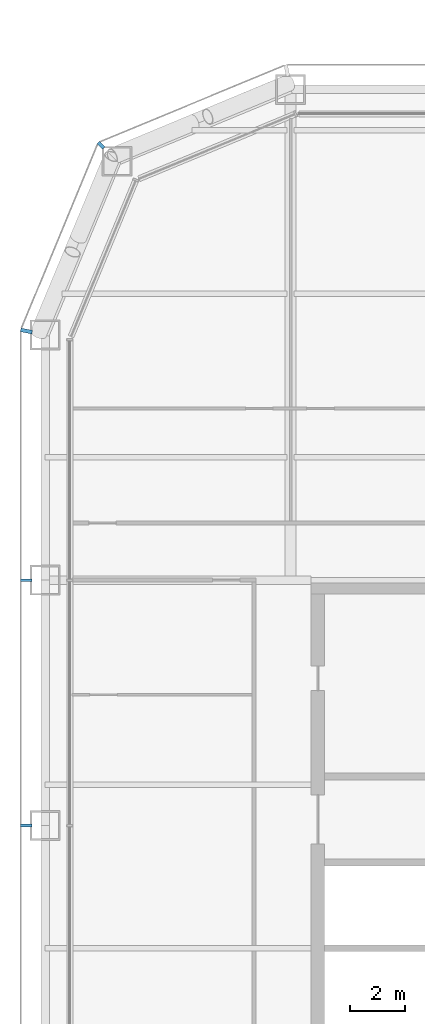
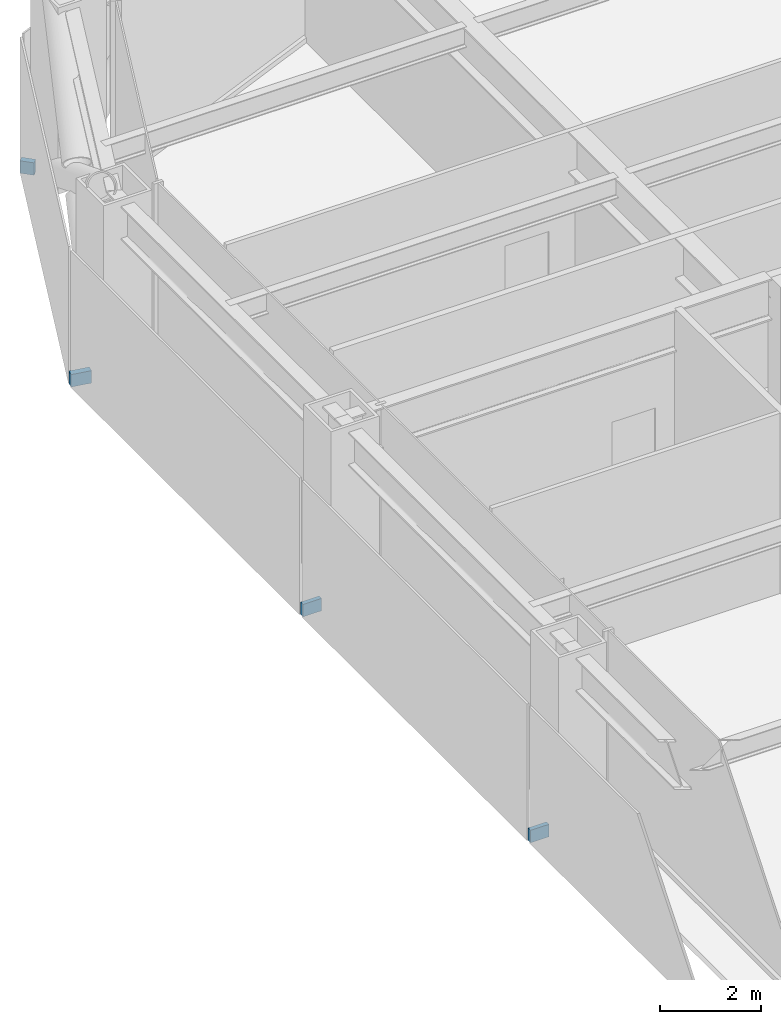
# One storey, part 19 of 30: 4 discrete accessories.
"""IFC4 building model written with IfcOpenShell, lengths in metres."""

from ifc_helpers import new_model, si_unit, direction, frame, origin, origin_2d, place, context, subcontext, project, spatial, rectangle, extrude, material, type_object, element, save


model = new_model("IFC4")

# Units and contexts
model_context = context("Model", 3, precision=1e-05, world=origin(), true_north=direction((0.0, 1.0)))
body_context = subcontext(model_context, "Body", "Model", "MODEL_VIEW")
ifc_project = project(units=[si_unit("LENGTHUNIT", "METRE"), si_unit("AREAUNIT", "SQUARE_METRE"), si_unit("VOLUMEUNIT", "CUBIC_METRE"), si_unit("PLANEANGLEUNIT", "RADIAN"), si_unit("MASSUNIT", "GRAM", prefix="KILO")], contexts=[model_context])

# Site, building, storey
site_placement = place(None, origin())
site = spatial("IfcSite", under=ifc_project, at=site_placement, CompositionType="ELEMENT")
building_placement = place(site_placement, origin())
building = spatial("IfcBuilding", under=site, at=building_placement, Name="Siwar Civic Tower", CompositionType="ELEMENT")
storey_placement = place(building_placement, frame((0.0, 0.0, 26.699951171875)))
storey = spatial("IfcBuildingStorey", under=building, at=storey_placement, Name="L05", CompositionType="ELEMENT", Elevation=26.699951171875)

# Discrete accessories
ifc_material = material(Name="Stainless steel 316", Category="steel")
discrete_accessory_type = type_object("IfcDiscreteAccessoryType", Name="ENV-BRACKET", PredefinedType="BRACKET", material=ifc_material)
discrete_accessory_1_placement = place(storey_placement, frame((-29.451416015625, 29.451416015625, -0.14990234375), z_axis=(0.0, 0.0, 1.0), x_axis=(-0.707106781187, 0.707106781187, 0.0)))
element("IfcDiscreteAccessory", 1, at=discrete_accessory_1_placement, inside=storey, type_object=discrete_accessory_type, Name="Bracket outer skin joint V08", PredefinedType="BRACKET", context=body_context, shape_type="SweptSolid", body=[
    extrude(rectangle(XDim=0.287109375, YDim=0.12939453125, at=origin_2d()), origin(), (0.0, 0.0, 1.0), 0.300048828125),
])
discrete_accessory_2_placement = place(storey_placement, frame((-32.190185546875, 22.63720703125, -0.14990234375), z_axis=(0.0, 0.0, 1.0), x_axis=(-0.980785280403, 0.195090322016, 0.0)))
element("IfcDiscreteAccessory", 2, at=discrete_accessory_2_placement, inside=storey, type_object=discrete_accessory_type, Name="Bracket outer skin joint V09", PredefinedType="BRACKET", context=body_context, shape_type="SweptSolid", body=[
    extrude(rectangle(XDim=0.427734375, YDim=0.13720703125, at=origin_2d()), origin(), (0.0, 0.0, 1.0), 0.300048828125),
])
for number, where, z_axis, x_axis, name in (
    (3, (-32.18994140625, 13.5, -0.14990234375), (0.0, 0.0, 1.0), (-1.0, 0.0, 0.0), "Bracket outer skin joint W-01"),
    (4, (-32.18994140625, 4.5, -0.14990234375), (0.0, 0.0, 1.0), (-1.0, 0.0, 0.0), "Bracket outer skin joint W-02"),
):
    element("IfcDiscreteAccessory", number, at=place(storey_placement, frame(where, z_axis=z_axis, x_axis=x_axis)), inside=storey, type_object=discrete_accessory_type, Name=name, PredefinedType="BRACKET", context=body_context, shape_type="SweptSolid", body=[
        extrude(rectangle(XDim=0.419921875, YDim=0.10009765625, at=origin_2d()), origin(), (0.0, 0.0, 1.0), 0.300048828125),
    ])

save(model, "model.ifc")
